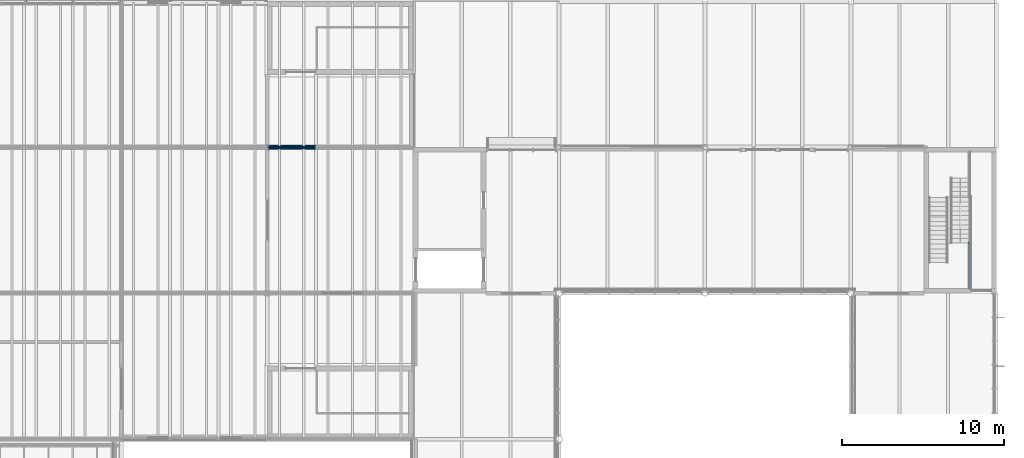
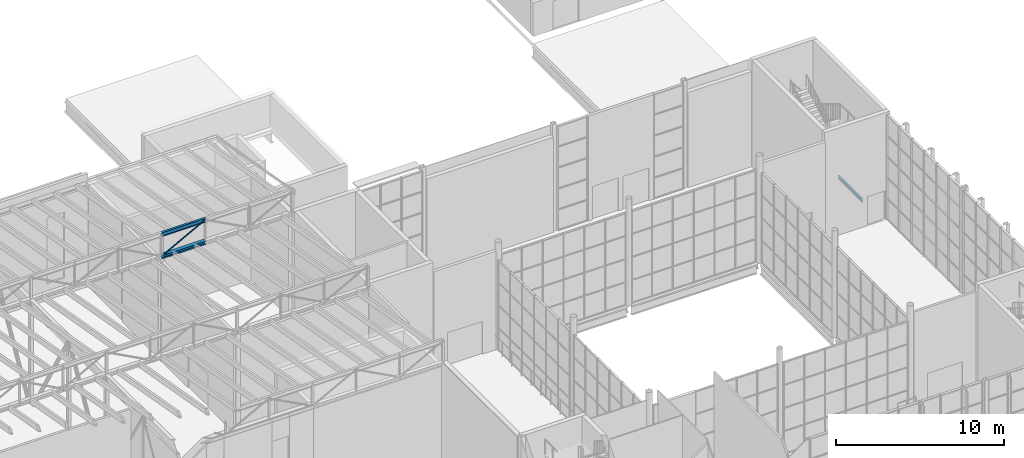
# One storey, part 59 of 90: 3 members, 1 beam.
"""IFC4 building model written with IfcOpenShell, lengths in metres."""

from ifc_helpers import new_model, si_unit, direction, frame, origin, origin_2d, place, context, subcontext, project, spatial, hollow_circle, i_section, extrude, material, material_profile, profile_set, type_object, element, save


model = new_model("IFC4")

# Units and contexts
model_context = context("Model", 3, precision=1e-05, world=origin(), true_north=direction((0.0, 1.0)))
body_context = subcontext(model_context, "Body", "Model", "MODEL_VIEW")
ifc_project = project(units=[si_unit("LENGTHUNIT", "METRE"), si_unit("AREAUNIT", "SQUARE_METRE"), si_unit("VOLUMEUNIT", "CUBIC_METRE"), si_unit("PLANEANGLEUNIT", "RADIAN"), si_unit("MASSUNIT", "GRAM", prefix="KILO")], contexts=[model_context])

# Site, building, storey
site_placement = place(None, origin())
site = spatial("IfcSite", under=ifc_project, at=site_placement, CompositionType="ELEMENT")
building_placement = place(site_placement, origin())
building = spatial("IfcBuilding", under=site, at=building_placement, Name="Halyard Row Museum", CompositionType="ELEMENT")
storey_placement = place(building_placement, frame((0.0, 0.0, 13.39990234375)))
storey = spatial("IfcBuildingStorey", under=building, at=storey_placement, Name="L03", CompositionType="ELEMENT", Elevation=13.39990234375)

# Beam
ifc_material_1 = material(Name="Steel Grade 300", Category="steel")
ifc_material_profile_1 = material_profile(ifc_material_1, i_section(OverallWidth=0.1240234375, OverallDepth=0.248046875, WebThickness=0.0048828125, FlangeThickness=0.008056640625, FilletRadius=0.011962890625, at=origin_2d()), Name="250UB25.7")
ifc_profile_set_1 = profile_set([ifc_material_profile_1], Name="Steel Grade 300")
beam_type = type_object("IfcBeamType", Name="Landing trimmer 250UB25.7", PredefinedType="BEAM", material=ifc_profile_set_1)
beam_placement = place(storey_placement, frame((106.278076171875, 27.297119140625, 1.7109375), z_axis=(0.0, 1.0, 0.0), x_axis=(-1.0, 0.0, 0.0)))
element("IfcBeam", 1, at=beam_placement, inside=storey, type_object=beam_type, Name="Landing ledger K2C L03 1", PredefinedType="BEAM", context=body_context, shape_type="SweptSolid", body=[
    extrude(i_section(OverallWidth=0.1240234375, OverallDepth=0.248046875, WebThickness=0.0048828125, FlangeThickness=0.008056640625, FilletRadius=0.011962890625, at=origin_2d()), origin(), (0.0, 0.0, 1.0), 2.852783203125),
])

# Members
ifc_material_2 = material(Name="Steel Grade 300", Category="steel")
ifc_material_profile_2 = material_profile(ifc_material_2, i_section(OverallWidth=0.25390625, OverallDepth=0.25390625, WebThickness=0.008544921875, FlangeThickness=0.01416015625, FilletRadius=0.013916015625, at=origin_2d()), Name="250UC72.9")
ifc_profile_set_2 = profile_set([ifc_material_profile_2], Name="Steel Grade 300")
member_type_1 = type_object("IfcMemberType", Name="Valley truss bottom chord 250UC72.9", PredefinedType="CHORD", material=ifc_profile_set_2)
member_1_placement = place(storey_placement, frame((63.0, 36.0, 7.527099609375), z_axis=(1.0, 0.0, 0.0), x_axis=(0.0, 1.0, 0.0)))
element("IfcMember", 2, at=member_1_placement, inside=storey, type_object=member_type_1, Name="V1-VT3 bottom chord 5.1", PredefinedType="CHORD", context=body_context, shape_type="SweptSolid", body=[
    extrude(i_section(OverallWidth=0.25390625, OverallDepth=0.25390625, WebThickness=0.008544921875, FlangeThickness=0.01416015625, FilletRadius=0.013916015625, at=origin_2d()), origin(), (0.0, 0.0, 1.0), 3.0),
])
ifc_material_3 = material(Name="Steel Grade C250L0", Category="steel")
ifc_material_profile_3 = material_profile(ifc_material_3, hollow_circle(Radius=0.04443359375, WallThickness=0.0048828125, at=origin_2d()), Name="88.9x5.0CHS")
ifc_profile_set_3 = profile_set([ifc_material_profile_3], Name="Steel Grade C250L0")
member_type_2 = type_object("IfcMemberType", Name="Valley truss diagonal 88.9x5.0CHS", PredefinedType="BRACE", material=ifc_profile_set_3)
member_2_placement = place(storey_placement, frame((63.0, 36.0, 7.527099609375), z_axis=(0.881863759518, 0.0, 0.471504305016), x_axis=(0.0, 1.0, 0.0)))
element("IfcMember", 3, at=member_2_placement, inside=storey, type_object=member_type_2, Name="V1-VT3 diagonal 5.1", PredefinedType="BRACE", context=body_context, shape_type="SweptSolid", body=[
    extrude(hollow_circle(Radius=0.04443359375, WallThickness=0.0048828125, at=origin_2d()), origin(), (0.0, 0.0, 1.0), 3.40185546875),
])
ifc_material_4 = material(Name="Steel Grade 300", Category="steel")
ifc_material_profile_4 = material_profile(ifc_material_4, i_section(OverallWidth=0.14892578125, OverallDepth=0.298095703125, WebThickness=0.005615234375, FlangeThickness=0.008056640625, FilletRadius=0.012939453125, at=origin_2d()), Name="310UB32.0")
ifc_profile_set_4 = profile_set([ifc_material_profile_4], Name="Steel Grade 300")
member_type_3 = type_object("IfcMemberType", Name="Valley truss top chord 310UB32.0", PredefinedType="CHORD", material=ifc_profile_set_4)
member_3_placement = place(storey_placement, frame((63.0, 36.0, 9.131103515625), z_axis=(1.0, 0.0, 0.0), x_axis=(0.0, 1.0, 0.0)))
element("IfcMember", 4, at=member_3_placement, inside=storey, type_object=member_type_3, Name="V1-VT3 top chord 5.1", PredefinedType="CHORD", context=body_context, shape_type="SweptSolid", body=[
    extrude(i_section(OverallWidth=0.14892578125, OverallDepth=0.298095703125, WebThickness=0.005615234375, FlangeThickness=0.008056640625, FilletRadius=0.012939453125, at=origin_2d()), origin(), (0.0, 0.0, 1.0), 3.0),
])

save(model, "model.ifc")
